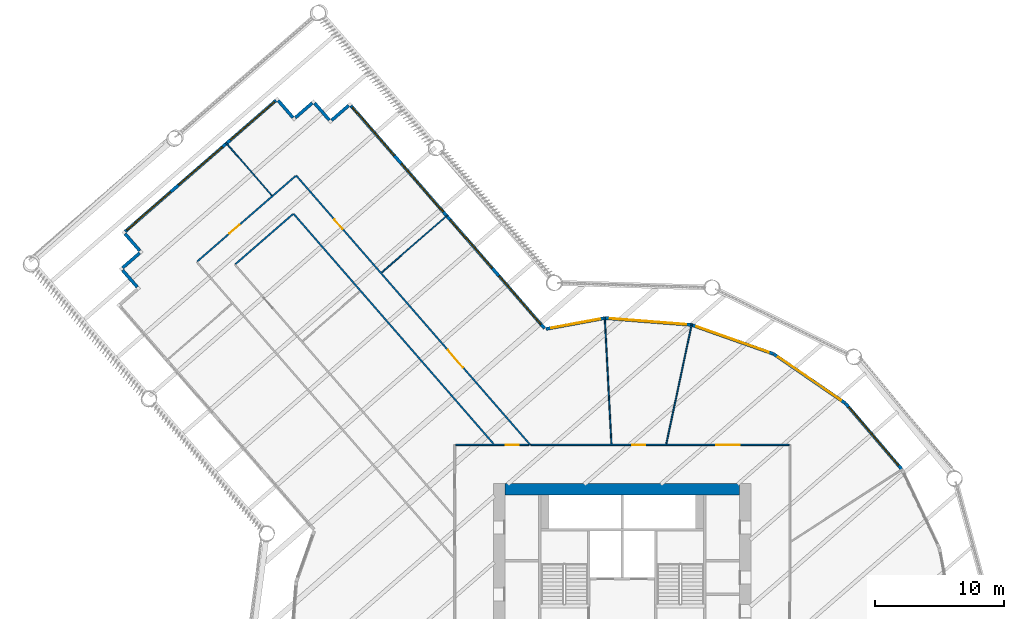
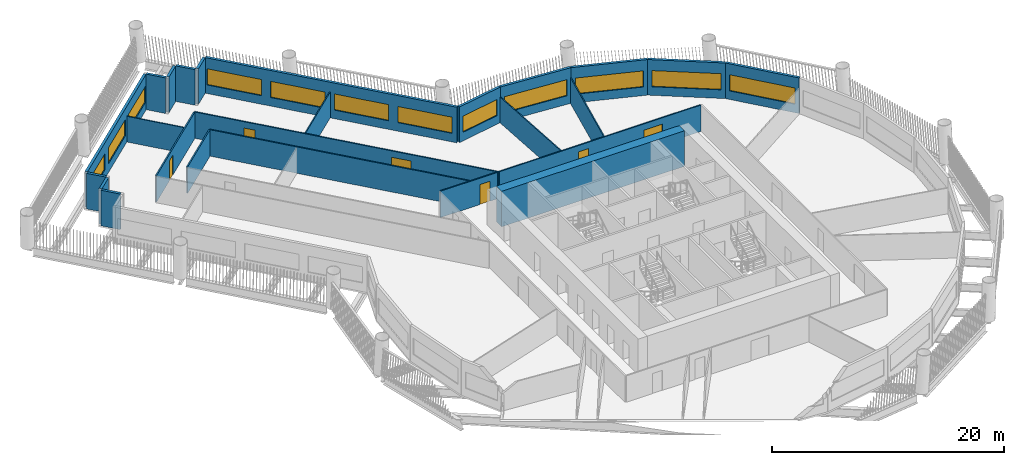
# One storey, part 7 of 15: 25 walls, 12 windows, 6 doors, 18 openings.
"""IFC4 building model written with IfcOpenShell, lengths in metres."""

import ifcopenshell
import ifcopenshell.guid

model = None  # the IFC model being written
_history = None  # IfcOwnerHistory: only IFC2X3 demands one
_inside = {}  # id of a spatial element -> (the spatial element, [elements in it])
_under = {}  # id of a project, library or spatial element -> (it, [spatial elements below it])
_declared = {}  # id of a project -> (the project, [libraries it declares])
_typed = {}  # id of a type object -> (the type object, [elements of that type])
_made_of = {}  # id of a material, layer set ... -> (it, [elements and type objects made of it])


def new_model(schema):
    """Start an empty IFC model of exactly this schema.

    Asked for "IFC4X3", IfcOpenShell would pick the latest addendum, in which some entities
    have other attributes; the version numbers below select the first issue.
    IFC2X3 requires an IfcOwnerHistory on every rooted entity: one is made here for all.
    """
    global model, _history
    if schema == "IFC4X3":
        model = ifcopenshell.file(schema_version=(4, 3, 0, 0))
    else:
        model = ifcopenshell.file(schema=schema)
    _inside.clear()
    _under.clear()
    _declared.clear()
    _typed.clear()
    _made_of.clear()
    _history = None
    if model.schema == "IFC2X3":
        org = make("IfcOrganization", Name="unknown")
        user = make(
            "IfcPersonAndOrganization",
            ThePerson=make("IfcPerson", FamilyName="unknown"),
            TheOrganization=org,
        )
        app = make(
            "IfcApplication",
            ApplicationDeveloper=org,
            Version="unknown",
            ApplicationFullName="unknown",
            ApplicationIdentifier="unknown",
        )
        _history = make(
            "IfcOwnerHistory",
            OwningUser=user,
            OwningApplication=app,
            ChangeAction="ADDED",
            CreationDate=0,
        )
    return model


def make(cls, **values):
    """One entity of the class cls with the attributes given. An attribute that is None is left unset."""
    return model.create_entity(
        cls, **{name: value for name, value in values.items() if value is not None}
    )


def rooted(cls, **values):
    """An entity with a GlobalId (a new one), such as an element, a storey or a relation."""
    return make(cls, GlobalId=ifcopenshell.guid.new(), OwnerHistory=_history, **values)


def si_unit(unit_type, name, prefix=None):
    """IfcSIUnit, for example si_unit("LENGTHUNIT", "METRE", prefix="MILLI")."""
    return make("IfcSIUnit", UnitType=unit_type, Prefix=prefix, Name=name)


def assignment(units):
    """IfcUnitAssignment: the units of a project."""
    return None if units is None else make("IfcUnitAssignment", Units=units)


def point(xyz):
    """IfcCartesianPoint."""
    return None if xyz is None else make("IfcCartesianPoint", Coordinates=xyz)


def direction(xyz):
    """IfcDirection."""
    return None if xyz is None else make("IfcDirection", DirectionRatios=xyz)


def frame(location, z_axis=None, x_axis=None):
    """IfcAxis2Placement3D, a coordinate frame: its origin and axes. An axis left out is left unset."""
    return make(
        "IfcAxis2Placement3D",
        Location=point(location),
        Axis=direction(z_axis),
        RefDirection=direction(x_axis),
    )


def frame_2d(location, x_axis=None):
    """IfcAxis2Placement2D, a coordinate frame in the plane: its origin and x axis."""
    return make(
        "IfcAxis2Placement2D", Location=point(location), RefDirection=direction(x_axis)
    )


def origin():
    """The frame at (0, 0, 0) with its axes left unset."""
    return frame((0.0, 0.0, 0.0))


def place(relative_to, where):
    """IfcLocalPlacement: puts the frame where relative to a parent placement (None: the world)."""
    return make(
        "IfcLocalPlacement", PlacementRelTo=relative_to, RelativePlacement=where
    )


def context(
    kind, dimensions, precision=None, world=None, true_north=None, identifier=None
):
    """IfcGeometricRepresentationContext, for example the 3D "Model" context."""
    return make(
        "IfcGeometricRepresentationContext",
        ContextIdentifier=identifier,
        ContextType=kind,
        CoordinateSpaceDimension=dimensions,
        Precision=precision,
        WorldCoordinateSystem=world,
        TrueNorth=true_north,
    )


def subcontext(parent, identifier, kind, view, scale=None):
    """IfcGeometricRepresentationSubContext, for example "Body" below "Model"."""
    return make(
        "IfcGeometricRepresentationSubContext",
        ContextIdentifier=identifier,
        ContextType=kind,
        ParentContext=parent,
        TargetScale=scale,
        TargetView=view,
    )


def project(units=None, contexts=None):
    """IfcProject with its units and contexts."""
    return rooted(
        "IfcProject",
        Name="project",
        RepresentationContexts=contexts,
        UnitsInContext=assignment(units),
    )


def spatial(cls, under=None, at=None, **own):
    """A site, building, storey or space (cls), placed at a placement, below another one or the project."""
    s = rooted(cls, ObjectPlacement=at, **own)
    if under is not None:
        _under.setdefault(under.id(), (under, []))[1].append(s)
    return s


def profile(cls, at=None, kind="AREA", **sizes):
    """A parametric profile (cls). Its sizes go by their IFC names, for example OverallWidth=200.0."""
    return make(cls, ProfileType=kind, Position=at, **sizes)


def rectangle(**sizes):
    """IfcRectangleProfileDef."""
    return profile("IfcRectangleProfileDef", **sizes)


def extrude(swept, where, along, depth):
    """IfcExtrudedAreaSolid: the profile swept, set in the frame where, extruded along a direction by depth."""
    return make(
        "IfcExtrudedAreaSolid",
        SweptArea=swept,
        Position=where,
        ExtrudedDirection=direction(along),
        Depth=depth,
    )


def shape(context_of_items, identifier, shape_type, items):
    """IfcShapeRepresentation: the items that make up one representation, for example the "Body"."""
    return make(
        "IfcShapeRepresentation",
        ContextOfItems=context_of_items,
        RepresentationIdentifier=identifier,
        RepresentationType=shape_type,
        Items=items,
    )


def material(Name=None, Category=None):
    """IfcMaterial."""
    return make("IfcMaterial", Name=Name, Category=Category)


def layer(
    of_material, thickness, ventilated=None, Name=None, Category=None, Priority=None
):
    """IfcMaterialLayer: one layer of a wall or slab, of a material (None: an air gap)."""
    return make(
        "IfcMaterialLayer",
        Material=of_material,
        LayerThickness=thickness,
        IsVentilated=ventilated,
        Name=Name,
        Category=Category,
        Priority=Priority,
    )


def layer_set(layers, Name=None):
    """IfcMaterialLayerSet."""
    return make("IfcMaterialLayerSet", MaterialLayers=layers, LayerSetName=Name)


def made_of(thing, what):
    """Note that an element or type object is made of a material, layer set ...; save() writes the relation."""
    if what is not None:
        _made_of.setdefault(what.id(), (what, []))[1].append(thing)
    return thing


def type_object(cls, material=None, **own):
    """A type object (cls), such as IfcWallType, which elements share."""
    return made_of(rooted(cls, **own), material)


def element(
    cls,
    number,
    at=None,
    inside=None,
    cuts=None,
    type_object=None,
    material=None,
    context=None,
    identifier="Body",
    shape_type=None,
    held_by="IfcProductDefinitionShape",
    body=None,
    shapes=None,
    **own,
):
    """One element of the class cls, such as IfcWall. Its Tag is "e" and its number.

    at: its placement. inside: the storey or other place that contains it. cuts: it is an
    opening in that element (IfcRelVoidsElement). A single representation is given by context,
    identifier, shape_type and body (its items); several are given by shapes. held_by: the class
    of the entity that holds the representations. save() writes the other relations.
    """
    e = rooted(cls, Tag="e%d" % number, ObjectPlacement=at, **own)
    if body is not None:
        shapes = [shape(context, identifier, shape_type, body)]
    if shapes is not None:
        e.Representation = make(held_by, Representations=shapes)
    if inside is not None:
        _inside.setdefault(inside.id(), (inside, []))[1].append(e)
    if cuts is not None:
        rooted(
            "IfcRelVoidsElement", RelatingBuildingElement=cuts, RelatedOpeningElement=e
        )
    if type_object is not None:
        _typed.setdefault(type_object.id(), (type_object, []))[1].append(e)
    return made_of(e, material)


def fill(opening, filler):
    """IfcRelFillsElement: the door or window that sits in an opening."""
    return rooted(
        "IfcRelFillsElement",
        RelatingOpeningElement=opening,
        RelatedBuildingElement=filler,
    )


def aggregate(whole, parts):
    """IfcRelAggregates: a whole, such as a stair, and the parts it consists of."""
    return rooted("IfcRelAggregates", RelatingObject=whole, RelatedObjects=parts)


def save(model, path):
    """Write the relations noted so far, then the file.

    IfcRelAggregates (storeys below a building ...), IfcRelContainedInSpatialStructure (elements
    in a storey), IfcRelDefinesByType, IfcRelAssociatesMaterial and IfcRelDeclares: one each for
    every whole, place, type object, material and project.
    """
    for whole, parts in _under.values():
        aggregate(whole, parts)
    for where, things in _inside.values():
        rooted(
            "IfcRelContainedInSpatialStructure",
            RelatedElements=things,
            RelatingStructure=where,
        )
    for kind, things in _typed.values():
        rooted("IfcRelDefinesByType", RelatedObjects=things, RelatingType=kind)
    for what, things in _made_of.values():
        rooted("IfcRelAssociatesMaterial", RelatedObjects=things, RelatingMaterial=what)
    for by, libraries in _declared.values():
        rooted("IfcRelDeclares", RelatingContext=by, RelatedDefinitions=libraries)
    model.write(path)


model = new_model("IFC4")

# Units and contexts
model_context = context("Model", 3, precision=1e-05, world=origin(), true_north=direction((0.0, 1.0)))
body_context = subcontext(model_context, "Body", "Model", "MODEL_VIEW")
ifc_project = project(units=[si_unit("LENGTHUNIT", "METRE"), si_unit("AREAUNIT", "SQUARE_METRE"), si_unit("VOLUMEUNIT", "CUBIC_METRE"), si_unit("PLANEANGLEUNIT", "RADIAN"), si_unit("MASSUNIT", "GRAM", prefix="KILO")], contexts=[model_context])

# Site, building, storey
site_placement = place(None, origin())
site = spatial("IfcSite", under=ifc_project, at=site_placement, CompositionType="ELEMENT")
building_placement = place(site_placement, origin())
building = spatial("IfcBuilding", under=site, at=building_placement, Name="Tarsis Ring Headquarters", CompositionType="ELEMENT")
storey_placement = place(building_placement, frame((0.0, 0.0, 51.699951171875)))
storey = spatial("IfcBuildingStorey", under=building, at=storey_placement, Name="L10", CompositionType="ELEMENT", Elevation=51.699951171875)

# Walls
ifc_material_1 = material(Name="Concrete C60/75", Category="concrete")
ifc_layer_1 = layer(ifc_material_1, 0.89990234375)
ifc_layer_set_1 = layer_set([ifc_layer_1], Name="Core wall 900 C60/75")
wall_type_1 = type_object("IfcWallType", Name="Core wall 900 C60/75", PredefinedType="SHEAR", material=ifc_layer_set_1)
wall_1_placement = place(storey_placement, frame((-9.10009765625, 12.550048828125, 0.0), z_axis=(0.0, 0.0, 1.0), x_axis=(1.0, 0.0, 0.0)))
element("IfcWall", 1, at=wall_1_placement, inside=storey, type_object=wall_type_1, Name="Core wall ON", PredefinedType="SHEAR", context=body_context, shape_type="SweptSolid", body=[
    extrude(rectangle(XDim=18.2001953125, YDim=0.89990234375, at=frame_2d((9.10009765625, 0.0))), origin(), (0.0, 0.0, 1.0), 3.739990234375),
])
ifc_material_2 = material(Name="Gypsum board on steel studs", Category="steel")
ifc_layer_2 = layer(ifc_material_2, 0.10009765625)
ifc_layer_set_2 = layer_set([ifc_layer_2], Name="FL partition 100 unrated")
wall_type_2 = type_object("IfcWallType", Name="FL partition 100 unrated", PredefinedType="PARTITIONING", material=ifc_layer_set_2)
wall_2_placement = place(storey_placement, frame((-1.35791015625, 25.912353515625, 0.0), z_axis=(0.0, 0.0, 1.0), x_axis=(0.05231570924, -0.998630595649, 0.0)))
element("IfcWall", 2, at=wall_2_placement, inside=storey, type_object=wall_type_2, Name="Partition PW3", PredefinedType="PARTITIONING", context=body_context, shape_type="SweptSolid", body=[
    extrude(rectangle(XDim=9.85595703125, YDim=0.10009765625, at=frame_2d((4.927978515625, 0.0))), origin(), (0.0, 0.0, 1.0), 2.699951171875),
])
wall_3_placement = place(storey_placement, frame((3.41552734375, 16.068603515625, 0.0), z_axis=(0.0, 0.0, 1.0), x_axis=(0.207922856191, 0.978145227394, 0.0)))
element("IfcWall", 3, at=wall_3_placement, inside=storey, type_object=wall_type_2, Name="Partition PW3", PredefinedType="PARTITIONING", context=body_context, shape_type="SweptSolid", body=[
    extrude(rectangle(XDim=9.520263671875, YDim=0.10009765625, at=frame_2d((4.76025390625, 0.0))), origin(), (0.0, 0.0, 1.0), 2.699951171875),
])
wall_4_placement = place(storey_placement, frame((-18.672119140625, 29.37548828125, 0.0), z_axis=(0.0, 0.0, 1.0), x_axis=(0.754717309037, 0.656050137901, 0.0)))
element("IfcWall", 4, at=wall_4_placement, inside=storey, type_object=wall_type_2, Name="Partition PW3", PredefinedType="PARTITIONING", context=body_context, shape_type="SweptSolid", body=[
    extrude(rectangle(XDim=6.77001953125, YDim=0.10009765625, at=frame_2d((3.385009765625, 0.0))), origin(), (0.0, 0.0, 1.0), 2.699951171875),
])
wall_5_placement = place(storey_placement, frame((-30.755126953125, 39.449462890625, 0.0), z_axis=(0.0, 0.0, 1.0), x_axis=(0.656062942504, -0.75470617824, 0.0)))
element("IfcWall", 5, at=wall_5_placement, inside=storey, type_object=wall_type_2, Name="Partition PW3", PredefinedType="PARTITIONING", context=body_context, shape_type="SweptSolid", body=[
    extrude(rectangle(XDim=5.43017578125, YDim=0.10009765625, at=frame_2d((2.715087890625, 0.0))), origin(), (0.0, 0.0, 1.0), 2.699951171875),
])

# Wall, openings, doors
ifc_layer_3 = layer(ifc_material_2, 0.125)
ifc_layer_set_3 = layer_set([ifc_layer_3], Name="FL partition 125 EI 60 H2770")
wall_type_3 = type_object("IfcWallType", Name="FL partition 125 EI 60 H2770", PredefinedType="PARTITIONING", material=ifc_layer_set_3)
wall_6_placement = place(storey_placement, frame((-25.305419921875, 36.8994140625, 0.0), z_axis=(0.0, 0.0, 1.0), x_axis=(0.656061931966, -0.754707056695, 0.0)))
wall_6 = element("IfcWall", 6, at=wall_6_placement, inside=storey, type_object=wall_type_3, Name="Partition PW1", PredefinedType="PARTITIONING", context=body_context, shape_type="SweptSolid", body=[
    extrude(rectangle(XDim=27.692138671875, YDim=0.125, at=frame_2d((13.84619140625, 0.0))), origin(), (0.0, 0.0, 1.0), 2.77001953125),
])
opening_1_placement = place(wall_6_placement, frame((4.5126953125, 0.0, 0.0)))
opening_1 = element("IfcOpeningElement", 7, at=opening_1_placement, cuts=wall_6, Name="Opening D10.02", PredefinedType="OPENING", context=body_context, shape_type="SweptSolid", body=[
    extrude(rectangle(XDim=1.0, YDim=2.10009765625, at=frame_2d((0.5, 1.050048828125))), frame((0.0, 0.072509765625, 0.0), z_axis=(0.0, -1.0, 0.0), x_axis=(1.0, 0.0, 0.0)), (0.0, 0.0, 1.0), 0.14501953125),
])
opening_2_placement = place(wall_6_placement, frame((17.958740234375, 0.0, 0.0)))
opening_2 = element("IfcOpeningElement", 8, at=opening_2_placement, cuts=wall_6, Name="Opening D10.03", PredefinedType="OPENING", context=body_context, shape_type="SweptSolid", body=[
    extrude(rectangle(XDim=1.800048828125, YDim=2.10009765625, at=frame_2d((0.89990234375, 1.050048828125))), frame((0.0, 0.072509765625, 0.0), z_axis=(0.0, -1.0, 0.0), x_axis=(1.0, 0.0, 0.0)), (0.0, 0.0, 1.0), 0.14501953125),
])
ifc_material_3 = material(Name="Fire-rated timber door leaf in steel frame", Category="steel")
door_type_1 = type_object("IfcDoorType", Name="FL door FD60-1000", OperationType="NOTDEFINED", PredefinedType="DOOR", material=ifc_material_3)
door_1_placement = place(opening_1_placement, origin())
door_1 = element("IfcDoor", 9, at=door_1_placement, inside=storey, type_object=door_type_1, Name="Door D10.02", OperationType="SINGLE_SWING_RIGHT", OverallHeight=2.10009765625, OverallWidth=1.0, PredefinedType="DOOR", context=body_context, shape_type="SweptSolid", body=[
    extrude(rectangle(XDim=1.0, YDim=2.10009765625, at=frame_2d((0.5, 1.050048828125))), frame((0.0, 0.02490234375, 0.0), z_axis=(0.0, -1.0, 0.0), x_axis=(1.0, 0.0, 0.0)), (0.0, 0.0, 1.0), 0.050048828125),
])
fill(opening_1, door_1)
door_type_2 = type_object("IfcDoorType", Name="FL door FD60-1800", OperationType="DOUBLE_DOOR_SINGLE_SWING", PredefinedType="DOOR", material=ifc_material_3)
door_2_placement = place(opening_2_placement, origin())
door_2 = element("IfcDoor", 10, at=door_2_placement, inside=storey, type_object=door_type_2, Name="Door D10.03", OperationType="DOUBLE_DOOR_SINGLE_SWING", OverallHeight=2.10009765625, OverallWidth=1.800048828125, PredefinedType="DOOR", context=body_context, shape_type="SweptSolid", body=[
    extrude(rectangle(XDim=1.800048828125, YDim=2.10009765625, at=frame_2d((0.89990234375, 1.050048828125))), frame((0.0, 0.02490234375, 0.0), z_axis=(0.0, -1.0, 0.0), x_axis=(1.0, 0.0, 0.0)), (0.0, 0.0, 1.0), 0.050048828125),
])
fill(opening_2, door_2)

# Wall, opening, door
wall_7_placement = place(storey_placement, frame((-12.93896484375, 16.0, 0.0), z_axis=(0.0, 0.0, 1.0), x_axis=(1.0, 0.0, 0.0)))
wall_7 = element("IfcWall", 11, at=wall_7_placement, inside=storey, type_object=wall_type_3, Name="Partition PW1", PredefinedType="PARTITIONING", context=body_context, shape_type="SweptSolid", body=[
    extrude(rectangle(XDim=5.6640625, YDim=0.125, at=frame_2d((2.83203125, 0.0))), origin(), (0.0, 0.0, 1.0), 2.77001953125),
])
opening_3_placement = place(wall_7_placement, frame((3.909912109375, 0.0, 0.0)))
opening_3 = element("IfcOpeningElement", 12, at=opening_3_placement, cuts=wall_7, Name="Opening D10.23", PredefinedType="OPENING", context=body_context, shape_type="SweptSolid", body=[
    extrude(rectangle(XDim=1.0, YDim=2.10009765625, at=frame_2d((0.5, 1.050048828125))), frame((0.0, 0.072509765625, 0.0), z_axis=(0.0, -1.0, 0.0), x_axis=(1.0, 0.0, 0.0)), (0.0, 0.0, 1.0), 0.14501953125),
])
door_3_placement = place(opening_3_placement, origin())
door_3 = element("IfcDoor", 13, at=door_3_placement, inside=storey, type_object=door_type_1, Name="Door D10.23", OperationType="SINGLE_SWING_LEFT", OverallHeight=2.10009765625, OverallWidth=1.0, PredefinedType="DOOR", context=body_context, shape_type="SweptSolid", body=[
    extrude(rectangle(XDim=1.0, YDim=2.10009765625, at=frame_2d((0.5, 1.050048828125))), frame((0.0, 0.02490234375, 0.0), z_axis=(0.0, -1.0, 0.0), x_axis=(1.0, 0.0, 0.0)), (0.0, 0.0, 1.0), 0.050048828125),
])
fill(opening_3, door_3)

# Wall, openings, doors
wall_8_placement = place(storey_placement, frame((-7.090576171875, 16.0, 0.0), z_axis=(0.0, 0.0, 1.0), x_axis=(1.0, 0.0, 0.0)))
wall_8 = element("IfcWall", 14, at=wall_8_placement, inside=storey, type_object=wall_type_3, Name="Partition PW1", PredefinedType="PARTITIONING", context=body_context, shape_type="SweptSolid", body=[
    extrude(rectangle(XDim=20.030517578125, YDim=0.125, at=frame_2d((10.01513671875, 0.0))), origin(), (0.0, 0.0, 1.0), 2.77001953125),
])
opening_4_placement = place(wall_8_placement, frame((7.871826171875, 0.0, 0.0)))
opening_4 = element("IfcOpeningElement", 15, at=opening_4_placement, cuts=wall_8, Name="Opening D10.04", PredefinedType="OPENING", context=body_context, shape_type="SweptSolid", body=[
    extrude(rectangle(XDim=1.0, YDim=2.10009765625, at=frame_2d((0.5, 1.050048828125))), frame((0.0, 0.072509765625, 0.0), z_axis=(0.0, -1.0, 0.0), x_axis=(1.0, 0.0, 0.0)), (0.0, 0.0, 1.0), 0.14501953125),
])
opening_5_placement = place(wall_8_placement, frame((14.39111328125, 0.0, 0.0)))
opening_5 = element("IfcOpeningElement", 16, at=opening_5_placement, cuts=wall_8, Name="Opening D10.05", PredefinedType="OPENING", context=body_context, shape_type="SweptSolid", body=[
    extrude(rectangle(XDim=1.800048828125, YDim=2.10009765625, at=frame_2d((0.89990234375, 1.050048828125))), frame((0.0, 0.072509765625, 0.0), z_axis=(0.0, -1.0, 0.0), x_axis=(1.0, 0.0, 0.0)), (0.0, 0.0, 1.0), 0.14501953125),
])
door_4_placement = place(opening_4_placement, origin())
door_4 = element("IfcDoor", 17, at=door_4_placement, inside=storey, type_object=door_type_1, Name="Door D10.04", OperationType="SINGLE_SWING_RIGHT", OverallHeight=2.10009765625, OverallWidth=1.0, PredefinedType="DOOR", context=body_context, shape_type="SweptSolid", body=[
    extrude(rectangle(XDim=1.0, YDim=2.10009765625, at=frame_2d((0.5, 1.050048828125))), frame((0.0, 0.02490234375, 0.0), z_axis=(0.0, -1.0, 0.0), x_axis=(1.0, 0.0, 0.0)), (0.0, 0.0, 1.0), 0.050048828125),
])
fill(opening_4, door_4)
door_5_placement = place(opening_5_placement, origin())
door_5 = element("IfcDoor", 18, at=door_5_placement, inside=storey, type_object=door_type_2, Name="Door D10.05", OperationType="DOUBLE_DOOR_SINGLE_SWING", OverallHeight=2.10009765625, OverallWidth=1.800048828125, PredefinedType="DOOR", context=body_context, shape_type="SweptSolid", body=[
    extrude(rectangle(XDim=1.800048828125, YDim=2.10009765625, at=frame_2d((0.89990234375, 1.050048828125))), frame((0.0, 0.02490234375, 0.0), z_axis=(0.0, -1.0, 0.0), x_axis=(1.0, 0.0, 0.0)), (0.0, 0.0, 1.0), 0.050048828125),
])
fill(opening_5, door_5)

# Wall
wall_9_placement = place(storey_placement, frame((-25.512451171875, 33.936767578125, 0.0), z_axis=(0.0, 0.0, 1.0), x_axis=(0.656058311766, -0.754710203696, 0.0)))
element("IfcWall", 19, at=wall_9_placement, inside=storey, type_object=wall_type_3, Name="Partition PW1", PredefinedType="PARTITIONING", context=body_context, shape_type="SweptSolid", body=[
    extrude(rectangle(XDim=23.646484375, YDim=0.125, at=frame_2d((11.8232421875, 0.0))), origin(), (0.0, 0.0, 1.0), 2.77001953125),
])

# Wall, opening, door
wall_10_placement = place(storey_placement, frame((-32.97314453125, 30.233642578125, 0.0), z_axis=(0.0, 0.0, 1.0), x_axis=(0.754708030632, 0.656060811587, 0.0)))
wall_10 = element("IfcWall", 20, at=wall_10_placement, inside=storey, type_object=wall_type_3, Name="Partition PW1", PredefinedType="PARTITIONING", context=body_context, shape_type="SweptSolid", body=[
    extrude(rectangle(XDim=10.10009765625, YDim=0.125, at=frame_2d((5.050048828125, 0.0))), origin(), (0.0, 0.0, 1.0), 2.77001953125),
])
opening_6_placement = place(wall_10_placement, frame((3.328369140625, 0.0, 0.0)))
opening_6 = element("IfcOpeningElement", 21, at=opening_6_placement, cuts=wall_10, Name="Opening D10.01", PredefinedType="OPENING", context=body_context, shape_type="SweptSolid", body=[
    extrude(rectangle(XDim=1.0, YDim=2.10009765625, at=frame_2d((0.5, 1.050048828125))), frame((0.0, 0.072509765625, 0.0), z_axis=(0.0, -1.0, 0.0), x_axis=(1.0, 0.0, 0.0)), (0.0, 0.0, 1.0), 0.14501953125),
])
door_6_placement = place(opening_6_placement, origin())
door_6 = element("IfcDoor", 22, at=door_6_placement, inside=storey, type_object=door_type_1, Name="Door D10.01", OperationType="SINGLE_SWING_LEFT", OverallHeight=2.10009765625, OverallWidth=1.0, PredefinedType="DOOR", context=body_context, shape_type="SweptSolid", body=[
    extrude(rectangle(XDim=1.0, YDim=2.10009765625, at=frame_2d((0.5, 1.050048828125))), frame((0.0, 0.02490234375, 0.0), z_axis=(0.0, -1.0, 0.0), x_axis=(1.0, 0.0, 0.0)), (0.0, 0.0, 1.0), 0.050048828125),
])
fill(opening_6, door_6)

# Wall
wall_11_placement = place(storey_placement, frame((-30.010498046875, 30.026611328125, 0.0), z_axis=(0.0, 0.0, 1.0), x_axis=(0.754728446048, 0.656037325711, 0.0)))
element("IfcWall", 23, at=wall_11_placement, inside=storey, type_object=wall_type_3, Name="Partition PW1", PredefinedType="PARTITIONING", context=body_context, shape_type="SweptSolid", body=[
    extrude(rectangle(XDim=5.89990234375, YDim=0.125, at=frame_2d((2.949951171875, 0.0))), origin(), (0.0, 0.0, 1.0), 2.77001953125),
])

# Wall, opening, window
ifc_material_4 = material(Name="Terracotta clad insulated panel wall", Category="masonry")
ifc_layer_4 = layer(ifc_material_4, 0.25)
ifc_layer_set_4 = layer_set([ifc_layer_4], Name="Facade wall terracotta panel 250")
wall_type_4 = type_object("IfcWallType", Name="Facade wall terracotta panel 250", PredefinedType="STANDARD", material=ifc_layer_set_4)
wall_12_placement = place(storey_placement, frame((21.68896484375, 14.1044921875, 0.0), z_axis=(0.0, 0.0, 1.0), x_axis=(-0.649444285769, 0.760409179115, 0.0)))
wall_12 = element("IfcWall", 24, at=wall_12_placement, inside=storey, type_object=wall_type_4, Name="External wall L10-26", PredefinedType="STANDARD", context=body_context, shape_type="SweptSolid", body=[
    extrude(rectangle(XDim=6.721435546875, YDim=0.25, at=frame_2d((3.36083984375, 0.0))), origin(), (0.0, 0.0, 1.0), 3.739990234375),
])
opening_7_placement = place(wall_12_placement, frame((0.3857421875, 0.0, 0.89990234375)))
opening_7 = element("IfcOpeningElement", 25, at=opening_7_placement, cuts=wall_12, Name="Opening WN07", PredefinedType="OPENING", context=body_context, shape_type="SweptSolid", body=[
    extrude(rectangle(XDim=5.949951171875, YDim=1.699951171875, at=frame_2d((2.97509765625, 0.85009765625))), frame((0.0, 0.135009765625, 0.0), z_axis=(0.0, -1.0, 0.0), x_axis=(1.0, 0.0, 0.0)), (0.0, 0.0, 1.0), 0.27001953125),
])
ifc_material_5 = material(Name="Aluminium framed double glazing", Category="aluminium")
window_type_1 = type_object("IfcWindowType", Name="Facade window 5950 x 1700", PartitioningType="SINGLE_PANEL", PredefinedType="WINDOW", material=ifc_material_5)
window_1_placement = place(opening_7_placement, origin())
window_1 = element("IfcWindow", 26, at=window_1_placement, inside=storey, type_object=window_type_1, Name="Window L10-26.1", OverallHeight=1.699951171875, OverallWidth=5.949951171875, PartitioningType="SINGLE_PANEL", PredefinedType="WINDOW", context=body_context, shape_type="SweptSolid", body=[
    extrude(rectangle(XDim=5.949951171875, YDim=1.699951171875, at=frame_2d((2.97509765625, 0.85009765625))), frame((0.0, 0.030029296875, 0.0), z_axis=(0.0, -1.0, 0.0), x_axis=(1.0, 0.0, 0.0)), (0.0, 0.0, 1.0), 0.06005859375),
])
fill(opening_7, window_1)

wall_13_placement = place(storey_placement, frame((17.299560546875, 19.2373046875, 0.0), z_axis=(0.0, 0.0, 1.0), x_axis=(-0.824133054291, 0.566396247185, 0.0)))
wall_13 = element("IfcWall", 27, at=wall_13_placement, inside=storey, type_object=wall_type_4, Name="External wall L10-27", PredefinedType="STANDARD", context=body_context, shape_type="SweptSolid", body=[
    extrude(rectangle(XDim=6.7216796875, YDim=0.25, at=frame_2d((3.36083984375, 0.0))), origin(), (0.0, 0.0, 1.0), 3.739990234375),
])
opening_8_placement = place(wall_13_placement, frame((0.3857421875, 0.0, 0.89990234375)))
opening_8 = element("IfcOpeningElement", 28, at=opening_8_placement, cuts=wall_13, Name="Opening WN07", PredefinedType="OPENING", context=body_context, shape_type="SweptSolid", body=[
    extrude(rectangle(XDim=5.949951171875, YDim=1.699951171875, at=frame_2d((2.97509765625, 0.85009765625))), frame((0.0, 0.135009765625, 0.0), z_axis=(0.0, -1.0, 0.0), x_axis=(1.0, 0.0, 0.0)), (0.0, 0.0, 1.0), 0.27001953125),
])
window_2_placement = place(opening_8_placement, origin())
window_2 = element("IfcWindow", 29, at=window_2_placement, inside=storey, type_object=window_type_1, Name="Window L10-27.1", OverallHeight=1.699951171875, OverallWidth=5.949951171875, PartitioningType="SINGLE_PANEL", PredefinedType="WINDOW", context=body_context, shape_type="SweptSolid", body=[
    extrude(rectangle(XDim=5.949951171875, YDim=1.699951171875, at=frame_2d((2.97509765625, 0.85009765625))), frame((0.0, 0.030029296875, 0.0), z_axis=(0.0, -1.0, 0.0), x_axis=(1.0, 0.0, 0.0)), (0.0, 0.0, 1.0), 0.06005859375),
])
fill(opening_8, window_2)

wall_14_placement = place(storey_placement, frame((11.73095703125, 23.059326171875, 0.0), z_axis=(0.0, 0.0, 1.0), x_axis=(-0.942642464796, 0.333804109567, 0.0)))
wall_14 = element("IfcWall", 30, at=wall_14_placement, inside=storey, type_object=wall_type_4, Name="External wall L10-28", PredefinedType="STANDARD", context=body_context, shape_type="SweptSolid", body=[
    extrude(rectangle(XDim=6.721435546875, YDim=0.25, at=frame_2d((3.36083984375, 0.0))), origin(), (0.0, 0.0, 1.0), 3.739990234375),
])
opening_9_placement = place(wall_14_placement, frame((0.3857421875, 0.0, 0.89990234375)))
opening_9 = element("IfcOpeningElement", 31, at=opening_9_placement, cuts=wall_14, Name="Opening WN07", PredefinedType="OPENING", context=body_context, shape_type="SweptSolid", body=[
    extrude(rectangle(XDim=5.949951171875, YDim=1.699951171875, at=frame_2d((2.97509765625, 0.85009765625))), frame((0.0, 0.135009765625, 0.0), z_axis=(0.0, -1.0, 0.0), x_axis=(1.0, 0.0, 0.0)), (0.0, 0.0, 1.0), 0.27001953125),
])
window_3_placement = place(opening_9_placement, origin())
window_3 = element("IfcWindow", 32, at=window_3_placement, inside=storey, type_object=window_type_1, Name="Window L10-28.1", OverallHeight=1.699951171875, OverallWidth=5.949951171875, PartitioningType="SINGLE_PANEL", PredefinedType="WINDOW", context=body_context, shape_type="SweptSolid", body=[
    extrude(rectangle(XDim=5.949951171875, YDim=1.699951171875, at=frame_2d((2.97509765625, 0.85009765625))), frame((0.0, 0.030029296875, 0.0), z_axis=(0.0, -1.0, 0.0), x_axis=(1.0, 0.0, 0.0)), (0.0, 0.0, 1.0), 0.06005859375),
])
fill(opening_9, window_3)

wall_15_placement = place(storey_placement, frame((5.363037109375, 25.309814453125, 0.0), z_axis=(0.0, 0.0, 1.0), x_axis=(-0.996917467391, 0.078457397419, 0.0)))
wall_15 = element("IfcWall", 33, at=wall_15_placement, inside=storey, type_object=wall_type_4, Name="External wall L10-29", PredefinedType="STANDARD", context=body_context, shape_type="SweptSolid", body=[
    extrude(rectangle(XDim=6.721435546875, YDim=0.25, at=frame_2d((3.36083984375, 0.0))), origin(), (0.0, 0.0, 1.0), 3.739990234375),
])
opening_10_placement = place(wall_15_placement, frame((0.3857421875, 0.0, 0.89990234375)))
opening_10 = element("IfcOpeningElement", 34, at=opening_10_placement, cuts=wall_15, Name="Opening WN07", PredefinedType="OPENING", context=body_context, shape_type="SweptSolid", body=[
    extrude(rectangle(XDim=5.949951171875, YDim=1.699951171875, at=frame_2d((2.97509765625, 0.85009765625))), frame((0.0, 0.135009765625, 0.0), z_axis=(0.0, -1.0, 0.0), x_axis=(1.0, 0.0, 0.0)), (0.0, 0.0, 1.0), 0.27001953125),
])
window_4_placement = place(opening_10_placement, origin())
window_4 = element("IfcWindow", 35, at=window_4_placement, inside=storey, type_object=window_type_1, Name="Window L10-29.1", OverallHeight=1.699951171875, OverallWidth=5.949951171875, PartitioningType="SINGLE_PANEL", PredefinedType="WINDOW", context=body_context, shape_type="SweptSolid", body=[
    extrude(rectangle(XDim=5.949951171875, YDim=1.699951171875, at=frame_2d((2.97509765625, 0.85009765625))), frame((0.0, 0.030029296875, 0.0), z_axis=(0.0, -1.0, 0.0), x_axis=(1.0, 0.0, 0.0)), (0.0, 0.0, 1.0), 0.06005859375),
])
fill(opening_10, window_4)

wall_16_placement = place(storey_placement, frame((-1.370361328125, 25.83544921875, 0.0), z_axis=(0.0, 0.0, 1.0), x_axis=(-0.98325429708, -0.182238819337, 0.0)))
wall_16 = element("IfcWall", 36, at=wall_16_placement, inside=storey, type_object=wall_type_4, Name="External wall L10-30", PredefinedType="STANDARD", context=body_context, shape_type="SweptSolid", body=[
    extrude(rectangle(XDim=4.617919921875, YDim=0.25, at=frame_2d((2.30908203125, 0.0))), origin(), (0.0, 0.0, 1.0), 3.739990234375),
])
opening_11_placement = place(wall_16_placement, frame((0.367431640625, 0.0, 0.89990234375)))
opening_11 = element("IfcOpeningElement", 37, at=opening_11_placement, cuts=wall_16, Name="Opening WN02", PredefinedType="OPENING", context=body_context, shape_type="SweptSolid", body=[
    extrude(rectangle(XDim=3.85009765625, YDim=1.699951171875, at=frame_2d((1.925048828125, 0.85009765625))), frame((0.0, 0.135009765625, 0.0), z_axis=(0.0, -1.0, 0.0), x_axis=(1.0, 0.0, 0.0)), (0.0, 0.0, 1.0), 0.27001953125),
])
window_type_2 = type_object("IfcWindowType", Name="Facade window 3850 x 1700", PartitioningType="SINGLE_PANEL", PredefinedType="WINDOW", material=ifc_material_5)
window_5_placement = place(opening_11_placement, origin())
window_5 = element("IfcWindow", 38, at=window_5_placement, inside=storey, type_object=window_type_2, Name="Window L10-30.1", OverallHeight=1.699951171875, OverallWidth=3.85009765625, PartitioningType="SINGLE_PANEL", PredefinedType="WINDOW", context=body_context, shape_type="SweptSolid", body=[
    extrude(rectangle(XDim=3.85009765625, YDim=1.699951171875, at=frame_2d((1.925048828125, 0.85009765625))), frame((0.0, 0.030029296875, 0.0), z_axis=(0.0, -1.0, 0.0), x_axis=(1.0, 0.0, 0.0)), (0.0, 0.0, 1.0), 0.06005859375),
])
fill(opening_11, window_5)

# Wall, openings, windows
wall_17_placement = place(storey_placement, frame((-6.02783203125, 25.034912109375, 0.0), z_axis=(0.0, 0.0, 1.0), x_axis=(-0.656063368627, 0.754705807812, 0.0)))
wall_17 = element("IfcWall", 39, at=wall_17_placement, inside=storey, type_object=wall_type_4, Name="External wall L10-31", PredefinedType="STANDARD", context=body_context, shape_type="SweptSolid", body=[
    extrude(rectangle(XDim=22.901123046875, YDim=0.25, at=frame_2d((11.45068359375, 0.0))), origin(), (0.0, 0.0, 1.0), 3.739990234375),
])
opening_12_placement = place(wall_17_placement, frame((0.4189453125, 0.0, 0.89990234375)))
opening_12 = element("IfcOpeningElement", 40, at=opening_12_placement, cuts=wall_17, Name="Opening WN05", PredefinedType="OPENING", context=body_context, shape_type="SweptSolid", body=[
    extrude(rectangle(XDim=4.949951171875, YDim=1.699951171875, at=frame_2d((2.47509765625, 0.85009765625))), frame((0.0, 0.135009765625, 0.0), z_axis=(0.0, -1.0, 0.0), x_axis=(1.0, 0.0, 0.0)), (0.0, 0.0, 1.0), 0.27001953125),
])
opening_13_placement = place(wall_17_placement, frame((6.206787109375, 0.0, 0.89990234375)))
opening_13 = element("IfcOpeningElement", 41, at=opening_13_placement, cuts=wall_17, Name="Opening WN05", PredefinedType="OPENING", context=body_context, shape_type="SweptSolid", body=[
    extrude(rectangle(XDim=4.949951171875, YDim=1.699951171875, at=frame_2d((2.47509765625, 0.85009765625))), frame((0.0, 0.135009765625, 0.0), z_axis=(0.0, -1.0, 0.0), x_axis=(1.0, 0.0, 0.0)), (0.0, 0.0, 1.0), 0.27001953125),
])
opening_14_placement = place(wall_17_placement, frame((11.99462890625, 0.0, 0.89990234375)))
opening_14 = element("IfcOpeningElement", 42, at=opening_14_placement, cuts=wall_17, Name="Opening WN05", PredefinedType="OPENING", context=body_context, shape_type="SweptSolid", body=[
    extrude(rectangle(XDim=4.949951171875, YDim=1.699951171875, at=frame_2d((2.47509765625, 0.85009765625))), frame((0.0, 0.135009765625, 0.0), z_axis=(0.0, -1.0, 0.0), x_axis=(1.0, 0.0, 0.0)), (0.0, 0.0, 1.0), 0.27001953125),
])
opening_15_placement = place(wall_17_placement, frame((17.782470703125, 0.0, 0.89990234375)))
opening_15 = element("IfcOpeningElement", 43, at=opening_15_placement, cuts=wall_17, Name="Opening WN05", PredefinedType="OPENING", context=body_context, shape_type="SweptSolid", body=[
    extrude(rectangle(XDim=4.949951171875, YDim=1.699951171875, at=frame_2d((2.47509765625, 0.85009765625))), frame((0.0, 0.135009765625, 0.0), z_axis=(0.0, -1.0, 0.0), x_axis=(1.0, 0.0, 0.0)), (0.0, 0.0, 1.0), 0.27001953125),
])
window_type_3 = type_object("IfcWindowType", Name="Facade window 4950 x 1700", PartitioningType="SINGLE_PANEL", PredefinedType="WINDOW", material=ifc_material_5)
window_6_placement = place(opening_12_placement, origin())
window_6 = element("IfcWindow", 44, at=window_6_placement, inside=storey, type_object=window_type_3, Name="Window L10-31.1", OverallHeight=1.699951171875, OverallWidth=4.949951171875, PartitioningType="SINGLE_PANEL", PredefinedType="WINDOW", context=body_context, shape_type="SweptSolid", body=[
    extrude(rectangle(XDim=4.949951171875, YDim=1.699951171875, at=frame_2d((2.47509765625, 0.85009765625))), frame((0.0, 0.030029296875, 0.0), z_axis=(0.0, -1.0, 0.0), x_axis=(1.0, 0.0, 0.0)), (0.0, 0.0, 1.0), 0.06005859375),
])
fill(opening_12, window_6)
window_7_placement = place(opening_13_placement, origin())
window_7 = element("IfcWindow", 45, at=window_7_placement, inside=storey, type_object=window_type_3, Name="Window L10-31.2", OverallHeight=1.699951171875, OverallWidth=4.949951171875, PartitioningType="SINGLE_PANEL", PredefinedType="WINDOW", context=body_context, shape_type="SweptSolid", body=[
    extrude(rectangle(XDim=4.949951171875, YDim=1.699951171875, at=frame_2d((2.47509765625, 0.85009765625))), frame((0.0, 0.030029296875, 0.0), z_axis=(0.0, -1.0, 0.0), x_axis=(1.0, 0.0, 0.0)), (0.0, 0.0, 1.0), 0.06005859375),
])
fill(opening_13, window_7)
window_8_placement = place(opening_14_placement, origin())
window_8 = element("IfcWindow", 46, at=window_8_placement, inside=storey, type_object=window_type_3, Name="Window L10-31.3", OverallHeight=1.699951171875, OverallWidth=4.949951171875, PartitioningType="SINGLE_PANEL", PredefinedType="WINDOW", context=body_context, shape_type="SweptSolid", body=[
    extrude(rectangle(XDim=4.949951171875, YDim=1.699951171875, at=frame_2d((2.47509765625, 0.85009765625))), frame((0.0, 0.030029296875, 0.0), z_axis=(0.0, -1.0, 0.0), x_axis=(1.0, 0.0, 0.0)), (0.0, 0.0, 1.0), 0.06005859375),
])
fill(opening_14, window_8)
window_9_placement = place(opening_15_placement, origin())
window_9 = element("IfcWindow", 47, at=window_9_placement, inside=storey, type_object=window_type_3, Name="Window L10-31.4", OverallHeight=1.699951171875, OverallWidth=4.949951171875, PartitioningType="SINGLE_PANEL", PredefinedType="WINDOW", context=body_context, shape_type="SweptSolid", body=[
    extrude(rectangle(XDim=4.949951171875, YDim=1.699951171875, at=frame_2d((2.47509765625, 0.85009765625))), frame((0.0, 0.030029296875, 0.0), z_axis=(0.0, -1.0, 0.0), x_axis=(1.0, 0.0, 0.0)), (0.0, 0.0, 1.0), 0.06005859375),
])
fill(opening_15, window_9)

# Walls
wall_18_placement = place(storey_placement, frame((-21.228759765625, 42.3310546875, 0.0), z_axis=(0.0, 0.0, 1.0), x_axis=(-0.754698615122, -0.656071642683, 0.0)))
element("IfcWall", 48, at=wall_18_placement, inside=storey, type_object=wall_type_4, Name="External wall L10-32", PredefinedType="STANDARD", context=body_context, shape_type="SweptSolid", body=[
    extrude(rectangle(XDim=1.75, YDim=0.25, at=frame_2d((0.875, 0.0))), origin(), (0.0, 0.0, 1.0), 3.739990234375),
])
wall_19_placement = place(storey_placement, frame((-22.72607421875, 41.1953125, 0.0), z_axis=(0.0, 0.0, 1.0), x_axis=(-0.656061257035, 0.754707643408, 0.0)))
element("IfcWall", 49, at=wall_19_placement, inside=storey, type_object=wall_type_4, Name="External wall L10-33", PredefinedType="STANDARD", context=body_context, shape_type="SweptSolid", body=[
    extrude(rectangle(XDim=1.749755859375, YDim=0.25, at=frame_2d((0.875, 0.0))), origin(), (0.0, 0.0, 1.0), 3.739990234375),
])
for number, where, z_axis, x_axis, name in (
    (50, (-24.05029296875, 42.5283203125, 0.0), (0.0, 0.0, 1.0), (-0.754698615122, -0.656071642683, 0.0), "External wall L10-34"),
    (51, (-25.547607421875, 41.392578125, 0.0), (0.0, 0.0, 1.0), (-0.655992176379, 0.754767689113, 0.0), "External wall L10-35"),
):
    element("IfcWall", number, at=place(storey_placement, frame(where, z_axis=z_axis, x_axis=x_axis)), inside=storey, type_object=wall_type_4, Name=name, PredefinedType="STANDARD", context=body_context, shape_type="SweptSolid", body=[
        extrude(rectangle(XDim=1.75, YDim=0.25, at=frame_2d((0.875, 0.0))), origin(), (0.0, 0.0, 1.0), 3.739990234375),
    ])

# Wall, openings, windows
wall_20_placement = place(storey_placement, frame((-26.871826171875, 42.7255859375, 0.0), z_axis=(0.0, 0.0, 1.0), x_axis=(-0.754708597898, -0.656060159024, 0.0)))
wall_20 = element("IfcWall", 52, at=wall_20_placement, inside=storey, type_object=wall_type_4, Name="External wall L10-36", PredefinedType="STANDARD", context=body_context, shape_type="SweptSolid", body=[
    extrude(rectangle(XDim=15.5, YDim=0.25, at=frame_2d((7.75, 0.0))), origin(), (0.0, 0.0, 1.0), 3.739990234375),
])
opening_16_placement = place(wall_20_placement, frame((0.166748046875, 0.0, 0.89990234375)))
opening_16 = element("IfcOpeningElement", 53, at=opening_16_placement, cuts=wall_20, Name="Opening WN04", PredefinedType="OPENING", context=body_context, shape_type="SweptSolid", body=[
    extrude(rectangle(XDim=4.5, YDim=1.699951171875, at=frame_2d((2.25, 0.85009765625))), frame((0.0, 0.135009765625, 0.0), z_axis=(0.0, -1.0, 0.0), x_axis=(1.0, 0.0, 0.0)), (0.0, 0.0, 1.0), 0.27001953125),
])
opening_17_placement = place(wall_20_placement, frame((5.5, 0.0, 0.89990234375)))
opening_17 = element("IfcOpeningElement", 54, at=opening_17_placement, cuts=wall_20, Name="Opening WN04", PredefinedType="OPENING", context=body_context, shape_type="SweptSolid", body=[
    extrude(rectangle(XDim=4.5, YDim=1.699951171875, at=frame_2d((2.25, 0.85009765625))), frame((0.0, 0.135009765625, 0.0), z_axis=(0.0, -1.0, 0.0), x_axis=(1.0, 0.0, 0.0)), (0.0, 0.0, 1.0), 0.27001953125),
])
opening_18_placement = place(wall_20_placement, frame((10.833251953125, 0.0, 0.89990234375)))
opening_18 = element("IfcOpeningElement", 55, at=opening_18_placement, cuts=wall_20, Name="Opening WN04", PredefinedType="OPENING", context=body_context, shape_type="SweptSolid", body=[
    extrude(rectangle(XDim=4.5, YDim=1.699951171875, at=frame_2d((2.25, 0.85009765625))), frame((0.0, 0.135009765625, 0.0), z_axis=(0.0, -1.0, 0.0), x_axis=(1.0, 0.0, 0.0)), (0.0, 0.0, 1.0), 0.27001953125),
])
window_type_4 = type_object("IfcWindowType", Name="Facade window 4500 x 1700", PartitioningType="SINGLE_PANEL", PredefinedType="WINDOW", material=ifc_material_5)
window_10_placement = place(opening_16_placement, origin())
window_10 = element("IfcWindow", 56, at=window_10_placement, inside=storey, type_object=window_type_4, Name="Window L10-36.1", OverallHeight=1.699951171875, OverallWidth=4.5, PartitioningType="SINGLE_PANEL", PredefinedType="WINDOW", context=body_context, shape_type="SweptSolid", body=[
    extrude(rectangle(XDim=4.5, YDim=1.699951171875, at=frame_2d((2.25, 0.85009765625))), frame((0.0, 0.030029296875, 0.0), z_axis=(0.0, -1.0, 0.0), x_axis=(1.0, 0.0, 0.0)), (0.0, 0.0, 1.0), 0.06005859375),
])
fill(opening_16, window_10)
window_11_placement = place(opening_17_placement, origin())
window_11 = element("IfcWindow", 57, at=window_11_placement, inside=storey, type_object=window_type_4, Name="Window L10-36.2", OverallHeight=1.699951171875, OverallWidth=4.5, PartitioningType="SINGLE_PANEL", PredefinedType="WINDOW", context=body_context, shape_type="SweptSolid", body=[
    extrude(rectangle(XDim=4.5, YDim=1.699951171875, at=frame_2d((2.25, 0.85009765625))), frame((0.0, 0.030029296875, 0.0), z_axis=(0.0, -1.0, 0.0), x_axis=(1.0, 0.0, 0.0)), (0.0, 0.0, 1.0), 0.06005859375),
])
fill(opening_17, window_11)
window_12_placement = place(opening_18_placement, origin())
window_12 = element("IfcWindow", 58, at=window_12_placement, inside=storey, type_object=window_type_4, Name="Window L10-36.3", OverallHeight=1.699951171875, OverallWidth=4.5, PartitioningType="SINGLE_PANEL", PredefinedType="WINDOW", context=body_context, shape_type="SweptSolid", body=[
    extrude(rectangle(XDim=4.5, YDim=1.699951171875, at=frame_2d((2.25, 0.85009765625))), frame((0.0, 0.030029296875, 0.0), z_axis=(0.0, -1.0, 0.0), x_axis=(1.0, 0.0, 0.0)), (0.0, 0.0, 1.0), 0.06005859375),
])
fill(opening_18, window_12)

# Walls
for number, where, z_axis, x_axis, name in (
    (59, (-38.582275390625, 32.38037109375, 0.0), (0.0, 0.0, 1.0), (0.656071642683, -0.754698615122, 0.0), "External wall L10-37"),
    (60, (-37.446533203125, 30.88330078125, 0.0), (0.0, 0.0, 1.0), (-0.754698615122, -0.656071642683, 0.0), "External wall L10-38"),
    (61, (-38.779541015625, 29.558837890625, 0.0), (0.0, 0.0, 1.0), (0.655992176379, -0.754767689113, 0.0), "External wall L10-39"),
):
    element("IfcWall", number, at=place(storey_placement, frame(where, z_axis=z_axis, x_axis=x_axis)), inside=storey, type_object=wall_type_4, Name=name, PredefinedType="STANDARD", context=body_context, shape_type="SweptSolid", body=[
        extrude(rectangle(XDim=1.75, YDim=0.25, at=frame_2d((0.875, 0.0))), origin(), (0.0, 0.0, 1.0), 3.739990234375),
    ])

save(model, "model.ifc")
